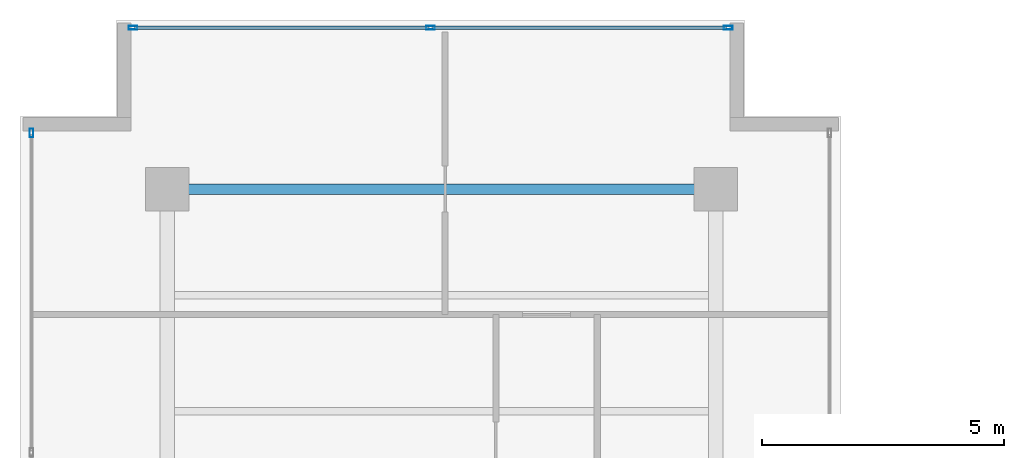
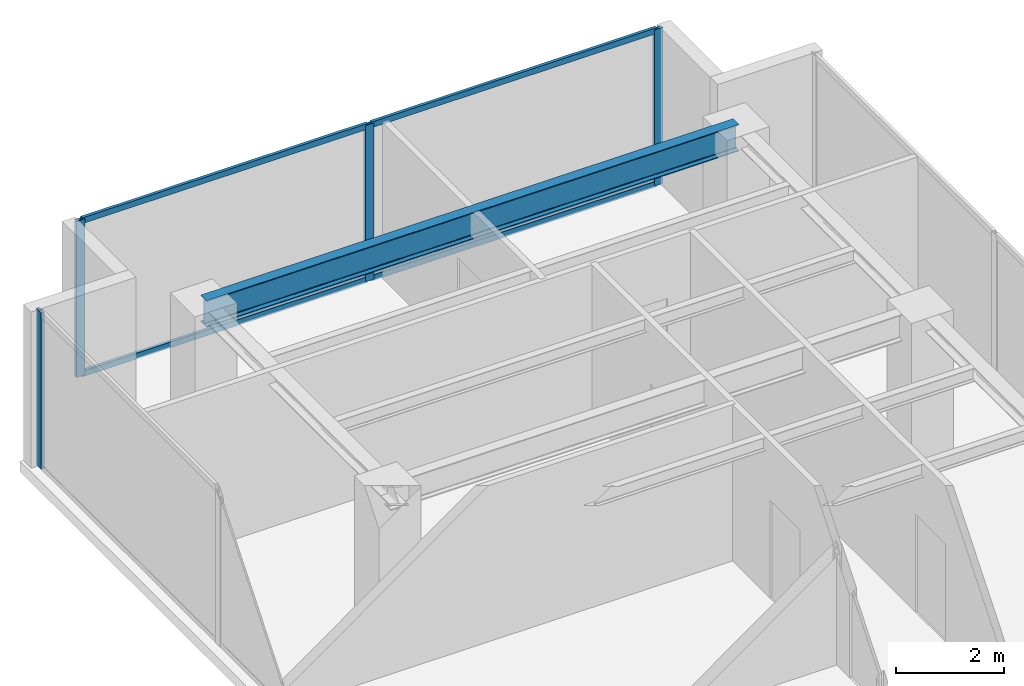
# One storey, part 22 of 32: 8 members, 1 beam, 2 elements without a shape of their own.
"""IFC4 building model written with IfcOpenShell, lengths in metres."""

from ifc_helpers import new_model, si_unit, direction, frame, origin, origin_with_axes, origin_2d, place, context, subcontext, project, spatial, hollow_rectangle, i_section, extrude, source, transform, mapped, material, layer, layer_set, material_profile, profile_set, type_object, element, aggregate, save


model = new_model("IFC4")

# Units and contexts
model_context = context("Model", 3, precision=1e-05, world=origin(), true_north=direction((0.0, 1.0)))
body_context = subcontext(model_context, "Body", "Model", "MODEL_VIEW")
ifc_project = project(units=[si_unit("LENGTHUNIT", "METRE"), si_unit("AREAUNIT", "SQUARE_METRE"), si_unit("VOLUMEUNIT", "CUBIC_METRE"), si_unit("PLANEANGLEUNIT", "RADIAN"), si_unit("MASSUNIT", "GRAM", prefix="KILO")], contexts=[model_context])

# Site, building, storey
site_placement = place(None, origin())
site = spatial("IfcSite", under=ifc_project, at=site_placement, CompositionType="ELEMENT")
building_placement = place(site_placement, origin())
building = spatial("IfcBuilding", under=site, at=building_placement, Name="Kolvaren Waterfront Exchange", CompositionType="ELEMENT")
storey_placement = place(building_placement, frame((0.0, 0.0, 348.10009765625)))
storey = spatial("IfcBuildingStorey", under=building, at=storey_placement, Name="L89", CompositionType="ELEMENT", Elevation=348.10009765625)

# Beam
ifc_material_1 = material(Name="Steel S355", Category="steel")
ifc_material_profile_1 = material_profile(ifc_material_1, i_section(OverallWidth=0.219970703125, OverallDepth=0.60009765625, WebThickness=0.011962890625, FlangeThickness=0.01904296875, FilletRadius=0.02392578125, at=origin_2d()), Name="IPE600")
ifc_profile_set_1 = profile_set([ifc_material_profile_1], Name="Steel S355")
beam_type = type_object("IfcBeamType", Name="STR-BM-IPE600", PredefinedType="BEAM", material=ifc_profile_set_1)
beam_placement = place(storey_placement, frame((7.449951171875, 44.60009765625, 3.219970703125), z_axis=(1.0, 0.0, 0.0), x_axis=(0.0, 1.0, 0.0)))
element("IfcBeam", 1, at=beam_placement, inside=storey, type_object=beam_type, Name="L89 north-arm girder 4", PredefinedType="BEAM", context=body_context, shape_type="SweptSolid", body=[
    extrude(i_section(OverallWidth=0.219970703125, OverallDepth=0.60009765625, WebThickness=0.011962890625, FlangeThickness=0.01904296875, FilletRadius=0.02392578125, at=origin_2d()), origin(), (0.0, 0.0, 1.0), 11.35009765625),
])

# Curtain wall, members
ifc_material_2 = material(Name="Anodised bronze aluminium 6063-T6", Category="aluminium")
ifc_layer = layer(ifc_material_2, 0.219970703125, Name="Anodised bronze aluminium 6063-T6")
ifc_layer_set = layer_set([ifc_layer], Name="Anodised bronze aluminium 6063-T6")
curtain_wall_type = type_object("IfcCurtainWallType", Name="ARC-CW-SYS5", PredefinedType="USERDEFINED", material=ifc_layer_set)
curtain_wall_1_placement = place(storey_placement, origin())
curtain_wall_1 = element("IfcCurtainWall", 2, at=curtain_wall_1_placement, inside=storey, type_object=curtain_wall_type, Name="L89 stick curtain wall CW5 (CW-L89-NT)", ObjectType="STICK CURTAIN WALL", PredefinedType="USERDEFINED")
ifc_material_profile_2 = material_profile(ifc_material_2, hollow_rectangle(XDim=0.06494140625, YDim=0.1298828125, WallThickness=0.00390625, at=origin_2d()), Name="ALU-TRN-130x65x4")
ifc_profile_set_2 = profile_set([ifc_material_profile_2], Name="Anodised bronze aluminium 6063-T6")
member_type_1 = type_object("IfcMemberType", Name="ARC-CWT-130", PredefinedType="USERDEFINED", material=ifc_profile_set_2)
shared_shape_1 = source(origin_with_axes(), body_context, "Body", "SweptSolid", [
    extrude(hollow_rectangle(XDim=0.06494140625, YDim=0.1298828125, WallThickness=0.00390625, at=origin_2d()), origin(), (0.0, 0.0, 1.0), 6.087646484375),
])
member_1_placement = place(storey_placement, frame((6.77490234375, 47.93994140625, 0.032470703125), z_axis=(1.0, 0.0, 0.0), x_axis=(0.0, 1.0, 0.0)))
member_1 = element("IfcMember", 3, at=member_1_placement, type_object=member_type_1, Name="CW5 transom 1.1", ObjectType="TRANSOM", PredefinedType="USERDEFINED", context=body_context, shape_type="MappedRepresentation", body=[
    mapped(shared_shape_1, transform((0.0, 0.0, 0.0), x_axis=(1.0, 0.0, 0.0), y_axis=(0.0, 1.0, 0.0), z_axis=(0.0, 0.0, 1.0), scale=1.0)),
])
member_2_placement = place(storey_placement, frame((6.77490234375, 47.93994140625, 3.4873046875), z_axis=(1.0, 0.0, 0.0), x_axis=(0.0, 1.0, 0.0)))
member_2 = element("IfcMember", 4, at=member_2_placement, type_object=member_type_1, Name="CW5 transom 1.2", ObjectType="TRANSOM", PredefinedType="USERDEFINED", context=body_context, shape_type="MappedRepresentation", body=[
    mapped(shared_shape_1, transform((0.0, 0.0, 0.0), x_axis=(1.0, 0.0, 0.0), y_axis=(0.0, 1.0, 0.0), z_axis=(0.0, 0.0, 1.0), scale=1.0)),
])
shared_shape_2 = source(origin_with_axes(), body_context, "Body", "SweptSolid", [
    extrude(hollow_rectangle(XDim=0.06494140625, YDim=0.1298828125, WallThickness=0.00390625, at=origin_2d()), origin(), (0.0, 0.0, 1.0), 6.08740234375),
])
member_3_placement = place(storey_placement, frame((12.9375, 47.93994140625, 0.032470703125), z_axis=(1.0, 0.0, 0.0), x_axis=(0.0, 1.0, 0.0)))
member_3 = element("IfcMember", 5, at=member_3_placement, type_object=member_type_1, Name="CW5 transom 2.1", ObjectType="TRANSOM", PredefinedType="USERDEFINED", context=body_context, shape_type="MappedRepresentation", body=[
    mapped(shared_shape_2, transform((0.0, 0.0, 0.0), x_axis=(1.0, 0.0, 0.0), y_axis=(0.0, 1.0, 0.0), z_axis=(0.0, 0.0, 1.0), scale=1.0)),
])
member_4_placement = place(storey_placement, frame((12.9375, 47.93994140625, 3.4873046875), z_axis=(1.0, 0.0, 0.0), x_axis=(0.0, 1.0, 0.0)))
member_4 = element("IfcMember", 6, at=member_4_placement, type_object=member_type_1, Name="CW5 transom 2.2", ObjectType="TRANSOM", PredefinedType="USERDEFINED", context=body_context, shape_type="MappedRepresentation", body=[
    mapped(shared_shape_2, transform((0.0, 0.0, 0.0), x_axis=(1.0, 0.0, 0.0), y_axis=(0.0, 1.0, 0.0), z_axis=(0.0, 0.0, 1.0), scale=1.0)),
])

# Curtain wall, member
curtain_wall_2_placement = place(storey_placement, origin())
curtain_wall_2 = element("IfcCurtainWall", 7, at=curtain_wall_2_placement, inside=storey, type_object=curtain_wall_type, Name="L89 stick curtain wall CW5 (CW-L89-W)", ObjectType="STICK CURTAIN WALL", PredefinedType="USERDEFINED")
ifc_material_profile_3 = material_profile(ifc_material_2, hollow_rectangle(XDim=0.074951171875, YDim=0.179931640625, WallThickness=0.00439453125, at=origin_2d()), Name="ALU-MUL-180x75x4.5")
ifc_profile_set_3 = profile_set([ifc_material_profile_3], Name="Anodised bronze aluminium 6063-T6")
member_type_2 = type_object("IfcMemberType", Name="ARC-CWM-180", PredefinedType="MULLION", material=ifc_profile_set_3)
shared_shape_3 = source(origin_with_axes(), body_context, "Body", "SweptSolid", [
    extrude(hollow_rectangle(XDim=0.074951171875, YDim=0.179931640625, WallThickness=0.00439453125, at=origin_2d()), origin(), (0.0, 0.0, 1.0), 3.52001953125),
])
member_5_placement = place(storey_placement, frame((4.639892578125, 45.762451171875, 0.0), z_axis=(0.0, 0.0, 1.0), x_axis=(-1.0, 0.0, 0.0)))
member_5 = element("IfcMember", 8, at=member_5_placement, type_object=member_type_2, Name="CW5 mullion 7", PredefinedType="MULLION", context=body_context, shape_type="MappedRepresentation", body=[
    mapped(shared_shape_3, transform((0.0, 0.0, 0.0), x_axis=(1.0, 0.0, 0.0), y_axis=(0.0, 1.0, 0.0), z_axis=(0.0, 0.0, 1.0), scale=1.0)),
])
aggregate(curtain_wall_2, [member_5])

# Member
member_6_placement = place(storey_placement, frame((6.737548828125, 47.93994140625, 0.0), z_axis=(0.0, 0.0, 1.0), x_axis=(0.0, 1.0, 0.0)))
member_6 = element("IfcMember", 9, at=member_6_placement, type_object=member_type_2, Name="CW5 mullion 1", PredefinedType="MULLION", context=body_context, shape_type="MappedRepresentation", body=[
    mapped(shared_shape_3, transform((0.0, 0.0, 0.0), x_axis=(1.0, 0.0, 0.0), y_axis=(0.0, 1.0, 0.0), z_axis=(0.0, 0.0, 1.0), scale=1.0)),
])

member_7_placement = place(storey_placement, frame((12.89990234375, 47.93994140625, 0.0), z_axis=(0.0, 0.0, 1.0), x_axis=(0.0, 1.0, 0.0)))
member_7 = element("IfcMember", 10, at=member_7_placement, type_object=member_type_2, Name="CW5 mullion 2", PredefinedType="MULLION", context=body_context, shape_type="MappedRepresentation", body=[
    mapped(shared_shape_3, transform((0.0, 0.0, 0.0), x_axis=(1.0, 0.0, 0.0), y_axis=(0.0, 1.0, 0.0), z_axis=(0.0, 0.0, 1.0), scale=1.0)),
])

member_8_placement = place(storey_placement, frame((19.0625, 47.93994140625, 0.0), z_axis=(0.0, 0.0, 1.0), x_axis=(0.0, 1.0, 0.0)))
member_8 = element("IfcMember", 11, at=member_8_placement, type_object=member_type_2, Name="CW5 mullion 3", PredefinedType="MULLION", context=body_context, shape_type="MappedRepresentation", body=[
    mapped(shared_shape_3, transform((0.0, 0.0, 0.0), x_axis=(1.0, 0.0, 0.0), y_axis=(0.0, 1.0, 0.0), z_axis=(0.0, 0.0, 1.0), scale=1.0)),
])

aggregate(curtain_wall_1, [member_6, member_7, member_8, member_1, member_2, member_3, member_4])

save(model, "model.ifc")
